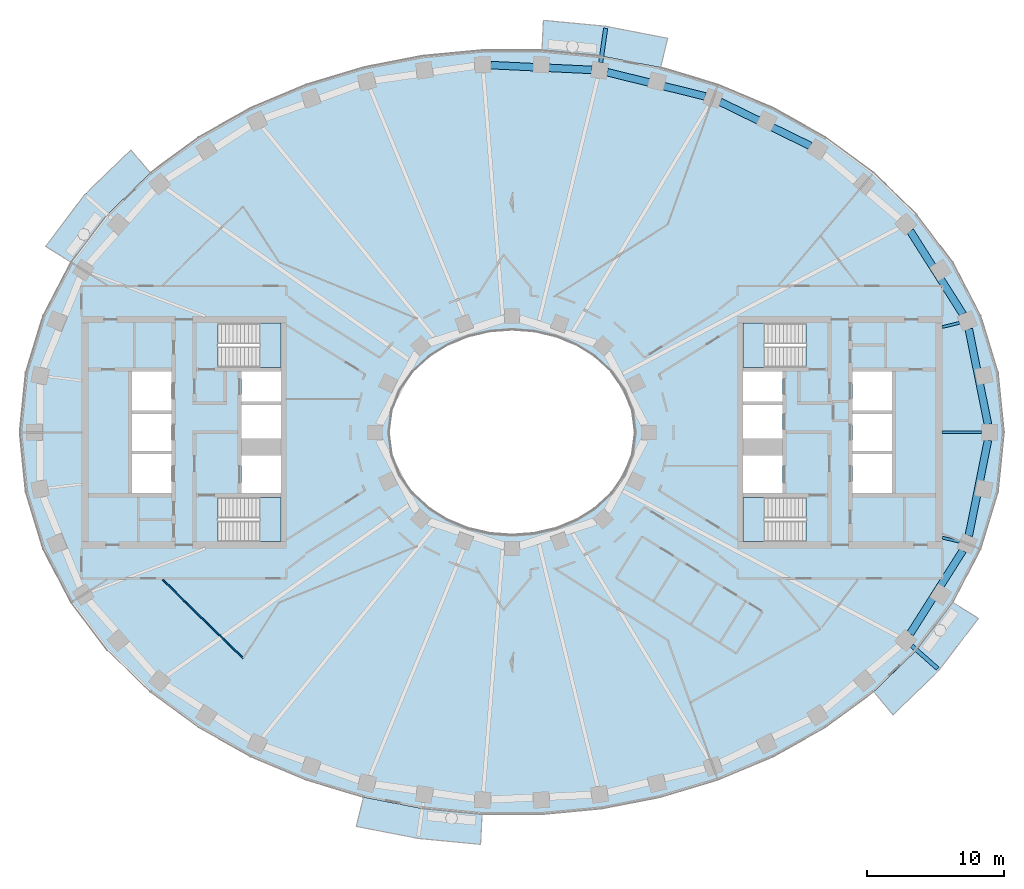
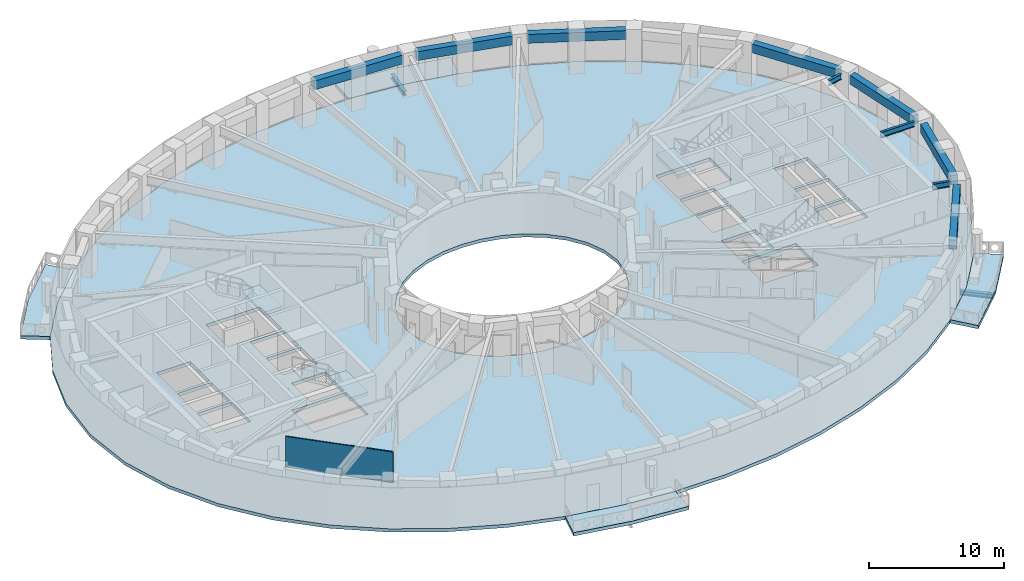
# One storey, part 2 of 16: 12 beams, 9 slabs, 1 wall, 4 elements without a shape of their own.
"""IFC4 building model written with IfcOpenShell, lengths in metres."""

from ifc_helpers import new_model, si_unit, direction, frame, frame_2d, origin, origin_2d, place, context, subcontext, project, spatial, polyline, rectangle, i_section, outline, extrude, material, layer, layer_set, material_profile, profile_set, type_object, element, aggregate, save


model = new_model("IFC4")

# Units and contexts
model_context = context("Model", 3, precision=1e-05, world=origin(), true_north=direction((0.0, 1.0)))
body_context = subcontext(model_context, "Body", "Model", "MODEL_VIEW")
ifc_project = project(units=[si_unit("LENGTHUNIT", "METRE"), si_unit("AREAUNIT", "SQUARE_METRE"), si_unit("VOLUMEUNIT", "CUBIC_METRE"), si_unit("PLANEANGLEUNIT", "RADIAN"), si_unit("MASSUNIT", "GRAM", prefix="KILO")], contexts=[model_context])

# Site, building, storey
site_placement = place(None, origin())
site = spatial("IfcSite", under=ifc_project, at=site_placement, CompositionType="ELEMENT")
building_placement = place(site_placement, origin())
building = spatial("IfcBuilding", under=site, at=building_placement, Name="Noorbagh Ring Tower", CompositionType="ELEMENT")
storey_placement = place(building_placement, frame((0.0, 0.0, 166.0)))
storey = spatial("IfcBuildingStorey", under=building, at=storey_placement, Name="L38", CompositionType="ELEMENT", Elevation=166.0)

# Beams
ifc_material_1 = material(Name="Steel S355", Category="steel")
ifc_material_profile_1 = material_profile(ifc_material_1, i_section(OverallWidth=0.300048828125, OverallDepth=0.39990234375, WebThickness=0.013427734375, FlangeThickness=0.02392578125, FilletRadius=0.027099609375, at=origin_2d()), Name="HEB400")
ifc_profile_set_1 = profile_set([ifc_material_profile_1], Name="Steel S355")
beam_type_1 = type_object("IfcBeamType", Name="STR-BALCONY-BRACKET-HEB400", PredefinedType="BEAM", material=ifc_profile_set_1)
beam_1_placement = place(storey_placement, frame((6.4921875, 27.06494140625, -0.5), z_axis=(0.143073420259, 0.989712077533, 0.0), x_axis=(-0.989712077533, 0.143073420259, 0.0)))
element("IfcBeam", 1, at=beam_1_placement, inside=storey, type_object=beam_type_1, Name="Balcony bracket beam BN03", PredefinedType="BEAM", context=body_context, shape_type="SweptSolid", body=[
    extrude(i_section(OverallWidth=0.300048828125, OverallDepth=0.39990234375, WebThickness=0.013427734375, FlangeThickness=0.02392578125, FilletRadius=0.027099609375, at=origin_2d()), origin(), (0.0, 0.0, 1.0), 2.523681640625),
])
beam_2_placement = place(storey_placement, frame((29.253173828125, -15.61474609375, -0.5), z_axis=(0.749068405178, -0.662492659856, 0.0), x_axis=(0.662492659856, 0.749068405178, 0.0)))
element("IfcBeam", 2, at=beam_2_placement, inside=storey, type_object=beam_type_1, Name="Balcony bracket beam BS06", PredefinedType="BEAM", context=body_context, shape_type="SweptSolid", body=[
    extrude(i_section(OverallWidth=0.300048828125, OverallDepth=0.39990234375, WebThickness=0.013427734375, FlangeThickness=0.02392578125, FilletRadius=0.027099609375, at=origin_2d()), origin(), (0.0, 0.0, 1.0), 2.529541015625),
])
ifc_material_2 = material(Name="Steel S355", Category="steel")
ifc_material_profile_2 = material_profile(ifc_material_2, i_section(OverallWidth=0.199951171875, OverallDepth=0.5, WebThickness=0.01025390625, FlangeThickness=0.01611328125, FilletRadius=0.02099609375, at=origin_2d()), Name="IPE500")
ifc_profile_set_2 = profile_set([ifc_material_profile_2], Name="Steel S355")
beam_type_2 = type_object("IfcBeamType", Name="STR-RAD-IPE500", PredefinedType="BEAM", material=ifc_profile_set_2)
beam_3_placement = place(storey_placement, frame((34.36474609375, 0.0, 3.449951171875), z_axis=(-1.0, 0.0, 0.0), x_axis=(0.0, -1.0, 0.0)))
element("IfcBeam", 3, at=beam_3_placement, inside=storey, type_object=beam_type_2, Name="L38/bm/RD01", PredefinedType="BEAM", context=body_context, shape_type="SweptSolid", body=[
    extrude(i_section(OverallWidth=0.199951171875, OverallDepth=0.5, WebThickness=0.01025390625, FlangeThickness=0.01611328125, FilletRadius=0.02099609375, at=origin_2d()), origin(), (0.0, 0.0, 1.0), 2.884765625),
])
for number, where, z_axis, x_axis, name in (
    (4, (32.7353515625, 8.010009765625, 3.449951171875), (-0.971331161348, -0.237730467116, 0.0), (0.237730467116, -0.971331161348, 0.0), "L38/bm/RD03"),
    (5, (32.7353515625, -8.010009765625, 3.449951171875), (-0.971331161348, 0.237730467116, 0.0), (-0.237730467116, -0.971331161348, 0.0), "L38/bm/RD45"),
):
    element("IfcBeam", number, at=place(storey_placement, frame(where, z_axis=z_axis, x_axis=x_axis)), inside=storey, type_object=beam_type_2, Name=name, PredefinedType="BEAM", context=body_context, shape_type="SweptSolid", body=[
        extrude(i_section(OverallWidth=0.199951171875, OverallDepth=0.5, WebThickness=0.01025390625, FlangeThickness=0.01611328125, FilletRadius=0.02099609375, at=origin_2d()), origin(), (0.0, 0.0, 1.0), 1.2919921875),
    ])
ifc_material_3 = material(Name="Concrete C40/50", Category="concrete")
ifc_material_profile_3 = material_profile(ifc_material_3, rectangle(XDim=0.550048828125, YDim=0.800048828125, at=origin_2d()), Name="RC550x800")
ifc_profile_set_3 = profile_set([ifc_material_profile_3], Name="Concrete C40/50")
beam_type_3 = type_object("IfcBeamType", Name="STR-SB-RC550x800-C40-50", PredefinedType="BEAM", material=ifc_profile_set_3)
beam_4_placement = place(storey_placement, frame((34.827880859375, 0.580322265625, 3.300048828125), z_axis=(-0.19720917592, 0.980361433826, 0.0), x_axis=(-0.980361433826, -0.19720917592, 0.0)))
element("IfcBeam", 6, at=beam_4_placement, inside=storey, type_object=beam_type_3, Name="L38/bm/SP01", PredefinedType="BEAM", context=body_context, shape_type="SweptSolid", body=[
    extrude(rectangle(XDim=0.550048828125, YDim=0.800048828125, at=origin_2d()), origin(), (0.0, 0.0, 1.0), 7.12939453125),
])
beam_5_placement = place(storey_placement, frame((32.98974609375, 8.647216796875, 3.300048828125), z_axis=(-0.535190716377, 0.844731257326, 0.0), x_axis=(-0.844731257326, -0.535190716377, 0.0)))
element("IfcBeam", 7, at=beam_5_placement, inside=storey, type_object=beam_type_3, Name="L38/bm/SP03", PredefinedType="BEAM", context=body_context, shape_type="SweptSolid", body=[
    extrude(rectangle(XDim=0.550048828125, YDim=0.800048828125, at=origin_2d()), origin(), (0.0, 0.0, 1.0), 7.205810546875),
])
beam_6_placement = place(storey_placement, frame((21.837158203125, 20.95654296875, 3.300048828125), z_axis=(-0.898397175695, 0.439183918994, 0.0), x_axis=(-0.439183918994, -0.898397175695, 0.0)))
element("IfcBeam", 8, at=beam_6_placement, inside=storey, type_object=beam_type_3, Name="L38/bm/SP07", PredefinedType="BEAM", context=body_context, shape_type="SweptSolid", body=[
    extrude(rectangle(XDim=0.550048828125, YDim=0.800048828125, at=origin_2d()), origin(), (0.0, 0.0, 1.0), 7.35009765625),
])
beam_7_placement = place(storey_placement, frame((14.143310546875, 24.580810546875, 3.300048828125), z_axis=(-0.970832897369, 0.239757138341, 0.0), x_axis=(-0.239757138341, -0.970832897369, 0.0)))
element("IfcBeam", 9, at=beam_7_placement, inside=storey, type_object=beam_type_3, Name="L38/bm/SP09", PredefinedType="BEAM", context=body_context, shape_type="SweptSolid", body=[
    extrude(rectangle(XDim=0.550048828125, YDim=0.800048828125, at=origin_2d()), origin(), (0.0, 0.0, 1.0), 7.383544921875),
])
beam_8_placement = place(storey_placement, frame((5.8271484375, 26.5185546875, 3.300048828125), z_axis=(-0.9988682124, 0.047563581193, 0.0), x_axis=(-0.047563581193, -0.9988682124, 0.0)))
element("IfcBeam", 10, at=beam_8_placement, inside=storey, type_object=beam_type_3, Name="L38/bm/SP11", PredefinedType="BEAM", context=body_context, shape_type="SweptSolid", body=[
    extrude(rectangle(XDim=0.550048828125, YDim=0.800048828125, at=origin_2d()), origin(), (0.0, 0.0, 1.0), 7.396484375),
])
beam_9_placement = place(storey_placement, frame((29.13330078125, -14.734130859375, 3.300048828125), z_axis=(0.535190716377, 0.844731257326, 0.0), x_axis=(-0.844731257326, 0.535190716377, 0.0)))
element("IfcBeam", 11, at=beam_9_placement, inside=storey, type_object=beam_type_3, Name="L38/bm/SP43", PredefinedType="BEAM", context=body_context, shape_type="SweptSolid", body=[
    extrude(rectangle(XDim=0.550048828125, YDim=0.800048828125, at=origin_2d()), origin(), (0.0, 0.0, 1.0), 7.205810546875),
])
beam_10_placement = place(storey_placement, frame((33.421875, -7.56982421875, 3.300048828125), z_axis=(0.19720917592, 0.980361433826, 0.0), x_axis=(-0.980361433826, 0.19720917592, 0.0)))
element("IfcBeam", 12, at=beam_10_placement, inside=storey, type_object=beam_type_3, Name="L38/bm/SP45", PredefinedType="BEAM", context=body_context, shape_type="SweptSolid", body=[
    extrude(rectangle(XDim=0.550048828125, YDim=0.800048828125, at=origin_2d()), origin(), (0.0, 0.0, 1.0), 7.12939453125),
])

# Stair, slab
ifc_material_4 = material(Name="Concrete C40/50", Category="concrete")
stair_type = type_object("IfcStairType", Name="CORE-STAIR", PredefinedType="HALF_TURN_STAIR", material=ifc_material_4)
stair_1_placement = place(storey_placement, origin())
stair_1 = element("IfcStair", 13, at=stair_1_placement, inside=storey, type_object=stair_type, Name="L38 Exit stair ST1", PredefinedType="HALF_TURN_STAIR")
ifc_material_5 = material(Name="Concrete C40/50", Category="concrete")
ifc_layer_1 = layer(ifc_material_5, 0.300048828125)
ifc_layer_set_1 = layer_set([ifc_layer_1], Name="Concrete C40/50")
slab_type_1 = type_object("IfcSlabType", Name="CORE-STAIR-LANDING", PredefinedType="LANDING", material=ifc_layer_set_1)
slab_1_placement = place(storey_placement, frame((0.0, 0.0, 1.699951171875)))
slab_1 = element("IfcSlab", 14, at=slab_1_placement, type_object=slab_type_1, Name="ST1 landing 1", PredefinedType="LANDING", context=body_context, shape_type="SweptSolid", body=[
    extrude(outline(polyline([(-18.449951171875, 4.75), (-16.89990234375, 4.75), (-16.89990234375, 8.0), (-18.449951171875, 8.0), (-18.449951171875, 4.75)])), origin(), (0.0, 0.0, 1.0), 0.300048828125),
])
aggregate(stair_1, [slab_1])

stair_2_placement = place(storey_placement, origin())
stair_2 = element("IfcStair", 15, at=stair_2_placement, inside=storey, type_object=stair_type, Name="L38 Exit stair ST2", PredefinedType="HALF_TURN_STAIR")
slab_2_placement = place(storey_placement, frame((0.0, 0.0, 1.699951171875)))
slab_2 = element("IfcSlab", 16, at=slab_2_placement, type_object=slab_type_1, Name="ST2 landing 1", PredefinedType="LANDING", context=body_context, shape_type="SweptSolid", body=[
    extrude(outline(polyline([(-18.449951171875, -8.0), (-16.89990234375, -8.0), (-16.89990234375, -4.75), (-18.449951171875, -4.75), (-18.449951171875, -8.0)])), origin(), (0.0, 0.0, 1.0), 0.300048828125),
])
aggregate(stair_2, [slab_2])

stair_3_placement = place(storey_placement, origin())
stair_3 = element("IfcStair", 17, at=stair_3_placement, inside=storey, type_object=stair_type, Name="L38 Exit stair ST3", PredefinedType="HALF_TURN_STAIR")
slab_3_placement = place(storey_placement, frame((0.0, 0.0, 1.699951171875)))
slab_3 = element("IfcSlab", 18, at=slab_3_placement, type_object=slab_type_1, Name="ST3 landing 1", PredefinedType="LANDING", context=body_context, shape_type="SweptSolid", body=[
    extrude(outline(polyline([(18.449951171875, 8.0), (16.89990234375, 8.0), (16.89990234375, 4.75), (18.449951171875, 4.75), (18.449951171875, 8.0)])), origin(), (0.0, 0.0, 1.0), 0.300048828125),
])
aggregate(stair_3, [slab_3])

stair_4_placement = place(storey_placement, origin())
stair_4 = element("IfcStair", 19, at=stair_4_placement, inside=storey, type_object=stair_type, Name="L38 Exit stair ST4", PredefinedType="HALF_TURN_STAIR")
slab_4_placement = place(storey_placement, frame((0.0, 0.0, 1.699951171875)))
slab_4 = element("IfcSlab", 20, at=slab_4_placement, type_object=slab_type_1, Name="ST4 landing 1", PredefinedType="LANDING", context=body_context, shape_type="SweptSolid", body=[
    extrude(outline(polyline([(18.449951171875, -4.75), (16.89990234375, -4.75), (16.89990234375, -8.0), (18.449951171875, -8.0), (18.449951171875, -4.75)])), origin(), (0.0, 0.0, 1.0), 0.300048828125),
])
aggregate(stair_4, [slab_4])

# Slabs
ifc_material_6 = material(Name="Concrete C40/50", Category="concrete")
ifc_layer_2 = layer(ifc_material_6, 0.300048828125)
ifc_layer_set_2 = layer_set([ifc_layer_2], Name="Concrete C40/50")
slab_type_2 = type_object("IfcSlabType", Name="ENV-BALCONY DECK 300", PredefinedType="FLOOR", material=ifc_layer_set_2)
slab_5_placement = place(storey_placement, frame((0.0, 0.0, -0.300048828125)))
element("IfcSlab", 21, at=slab_5_placement, inside=storey, type_object=slab_type_2, Name="Tree balcony deck BN03", PredefinedType="FLOOR", context=body_context, shape_type="SweptSolid", body=[
    extrude(outline(polyline([(11.3935546875, 28.832763671875), (6.874755859375, 29.711181640625), (2.2978515625, 30.14794921875), (2.193115234375, 27.947998046875), (6.5595703125, 27.53125), (10.865234375, 26.6943359375), (11.3935546875, 28.832763671875)])), origin(), (0.0, 0.0, 1.0), 0.300048828125),
])
slab_6_placement = place(storey_placement, frame((0.0, 0.0, -0.300048828125)))
element("IfcSlab", 22, at=slab_6_placement, inside=storey, type_object=slab_type_2, Name="Tree balcony deck BN06", PredefinedType="FLOOR", context=body_context, shape_type="SweptSolid", body=[
    extrude(outline(polyline([(-27.888671875, 20.665771484375), (-31.26025390625, 17.389892578125), (-34.120361328125, 13.615966796875), (-32.255126953125, 12.434814453125), (-29.607666015625, 15.92822265625), (-26.463134765625, 18.983154296875), (-27.888671875, 20.665771484375)])), origin(), (0.0, 0.0, 1.0), 0.300048828125),
])
slab_7_placement = place(storey_placement, frame((0.0, 0.0, -0.300048828125)))
element("IfcSlab", 23, at=slab_7_placement, inside=storey, type_object=slab_type_2, Name="Tree balcony deck BS03", PredefinedType="FLOOR", context=body_context, shape_type="SweptSolid", body=[
    extrude(outline(polyline([(-11.3935546875, -28.832763671875), (-6.874755859375, -29.711181640625), (-2.2978515625, -30.14794921875), (-2.193115234375, -27.947998046875), (-6.5595703125, -27.53125), (-10.865234375, -26.6943359375), (-11.3935546875, -28.832763671875)])), origin(), (0.0, 0.0, 1.0), 0.300048828125),
])
slab_8_placement = place(storey_placement, frame((0.0, 0.0, -0.300048828125)))
element("IfcSlab", 24, at=slab_8_placement, inside=storey, type_object=slab_type_2, Name="Tree balcony deck BS06", PredefinedType="FLOOR", context=body_context, shape_type="SweptSolid", body=[
    extrude(outline(polyline([(27.888671875, -20.665771484375), (31.26025390625, -17.389892578125), (34.120361328125, -13.615966796875), (32.255126953125, -12.434814453125), (29.607666015625, -15.92822265625), (26.463134765625, -18.983154296875), (27.888671875, -20.665771484375)])), origin(), (0.0, 0.0, 1.0), 0.300048828125),
])
ifc_material_7 = material(Name="Concrete C40/50", Category="concrete")
ifc_layer_3 = layer(ifc_material_7, 0.300048828125)
ifc_layer_set_3 = layer_set([ifc_layer_3], Name="Concrete C40/50")
slab_type_3 = type_object("IfcSlabType", Name="STR-FLOOR-DECK-300", PredefinedType="FLOOR", material=ifc_layer_set_3)
slab_9_placement = place(storey_placement, frame((0.0, 0.0, -0.300048828125)))
element("IfcSlab", 25, at=slab_9_placement, inside=storey, type_object=slab_type_3, Name="L38/slab/1", PredefinedType="FLOOR", context=body_context, shape_type="SweptSolid", body=[
    extrude(outline(polyline([(36.0, 0.0), (35.56103515625, 4.358642578125), (34.281005859375, 8.548828125), (32.255126953125, 12.434814453125), (29.607666015625, 15.92822265625), (26.463134765625, 18.983154296875), (22.9326171875, 21.583740234375), (19.108154296875, 23.730224609375), (15.0654296875, 25.430419921875), (10.865234375, 26.6943359375), (6.5595703125, 27.53125), (2.193115234375, 27.947998046875), (-2.193115234375, 27.947998046875), (-6.5595703125, 27.53125), (-10.865234375, 26.6943359375), (-15.0654296875, 25.430419921875), (-19.108154296875, 23.730224609375), (-22.9326171875, 21.583740234375), (-26.463134765625, 18.983154296875), (-29.607666015625, 15.92822265625), (-32.255126953125, 12.434814453125), (-34.281005859375, 8.548828125), (-35.56103515625, 4.358642578125), (-36.0, 0.0), (-35.56103515625, -4.358642578125), (-34.281005859375, -8.548828125), (-32.255126953125, -12.434814453125), (-29.607666015625, -15.92822265625), (-26.463134765625, -18.983154296875), (-22.9326171875, -21.583740234375), (-19.108154296875, -23.730224609375), (-15.0654296875, -25.430419921875), (-10.865234375, -26.6943359375), (-6.5595703125, -27.53125), (-2.193115234375, -27.947998046875), (2.193115234375, -27.947998046875), (6.5595703125, -27.53125), (10.865234375, -26.6943359375), (15.0654296875, -25.430419921875), (19.108154296875, -23.730224609375), (22.9326171875, -21.583740234375), (26.463134765625, -18.983154296875), (29.607666015625, -15.92822265625), (32.255126953125, -12.434814453125), (34.281005859375, -8.548828125), (35.56103515625, -4.358642578125), (36.0, 0.0)]), holes=[polyline([(24.89990234375, 4.449951171875), (27.800048828125, 4.449951171875), (27.800048828125, 1.60009765625), (24.89990234375, 1.60009765625), (24.89990234375, 4.449951171875)]), polyline([(24.89990234375, 1.35009765625), (27.800048828125, 1.35009765625), (27.800048828125, -1.35009765625), (24.89990234375, -1.35009765625), (24.89990234375, 1.35009765625)]), polyline([(24.89990234375, -1.60009765625), (27.800048828125, -1.60009765625), (27.800048828125, -4.449951171875), (24.89990234375, -4.449951171875), (24.89990234375, -1.60009765625)]), polyline([(21.529541015625, -8.0), (16.89990234375, -8.0), (16.89990234375, -4.75), (21.529541015625, -4.75), (21.529541015625, -8.0)]), polyline([(16.89990234375, 4.75), (16.89990234375, 8.0), (21.529541015625, 8.0), (21.529541015625, 4.75), (16.89990234375, 4.75)]), polyline([(19.800048828125, 4.449951171875), (19.800048828125, 2.25), (16.89990234375, 2.25), (16.89990234375, 4.449951171875), (19.800048828125, 4.449951171875)]), polyline([(16.89990234375, 2.0), (19.800048828125, 2.0), (19.800048828125, -0.449951171875), (16.89990234375, -0.449951171875), (16.89990234375, 2.0)]), polyline([(16.89990234375, -1.699951171875), (19.800048828125, -1.699951171875), (19.800048828125, -4.449951171875), (16.89990234375, -4.449951171875), (16.89990234375, -1.699951171875)]), polyline([(4.697509765625, -6.3974609375), (3.196533203125, -7.010986328125), (1.6171875, -7.3779296875), (0.0, -7.5), (-1.6171875, -7.3779296875), (-3.196533203125, -7.010986328125), (-4.697509765625, -6.3974609375), (-6.071044921875, -5.53662109375), (-7.2587890625, -4.43408203125), (-8.1904296875, -3.10888671875), (-8.79150390625, -1.605224609375), (-9.0, 0.0), (-8.79150390625, 1.605224609375), (-8.1904296875, 3.10888671875), (-7.2587890625, 4.43408203125), (-6.071044921875, 5.53662109375), (-4.697509765625, 6.3974609375), (-3.196533203125, 7.010986328125), (-1.6171875, 7.3779296875), (0.0, 7.5), (1.6171875, 7.3779296875), (3.196533203125, 7.010986328125), (4.697509765625, 6.3974609375), (6.071044921875, 5.53662109375), (7.2587890625, 4.43408203125), (8.1904296875, 3.10888671875), (8.79150390625, 1.605224609375), (9.0, 0.0), (8.79150390625, -1.605224609375), (8.1904296875, -3.10888671875), (7.2587890625, -4.43408203125), (6.071044921875, -5.53662109375), (4.697509765625, -6.3974609375)]), polyline([(-16.89990234375, 2.25), (-19.800048828125, 2.25), (-19.800048828125, 4.449951171875), (-16.89990234375, 4.449951171875), (-16.89990234375, 2.25)]), polyline([(-16.89990234375, -0.449951171875), (-19.800048828125, -0.449951171875), (-19.800048828125, 2.0), (-16.89990234375, 2.0), (-16.89990234375, -0.449951171875)]), polyline([(-16.89990234375, -4.449951171875), (-19.800048828125, -4.449951171875), (-19.800048828125, -1.699951171875), (-16.89990234375, -1.699951171875), (-16.89990234375, -4.449951171875)]), polyline([(-21.529541015625, 8.0), (-16.89990234375, 8.0), (-16.89990234375, 4.75), (-21.529541015625, 4.75), (-21.529541015625, 8.0)]), polyline([(-21.529541015625, -4.75), (-16.89990234375, -4.75), (-16.89990234375, -8.0), (-21.529541015625, -8.0), (-21.529541015625, -4.75)]), polyline([(-24.89990234375, -4.449951171875), (-27.800048828125, -4.449951171875), (-27.800048828125, -1.60009765625), (-24.89990234375, -1.60009765625), (-24.89990234375, -4.449951171875)]), polyline([(-24.89990234375, 1.60009765625), (-27.800048828125, 1.60009765625), (-27.800048828125, 4.449951171875), (-24.89990234375, 4.449951171875), (-24.89990234375, 1.60009765625)]), polyline([(-24.89990234375, -1.35009765625), (-27.800048828125, -1.35009765625), (-27.800048828125, 1.35009765625), (-24.89990234375, 1.35009765625), (-24.89990234375, -1.35009765625)])]), origin(), (0.0, 0.0, 1.0), 0.300048828125),
])

# Wall
ifc_material_8 = material(Name="Gypsum board on steel studs", Category="steel")
ifc_layer_4 = layer(ifc_material_8, 0.10009765625)
ifc_layer_set_4 = layer_set([ifc_layer_4], Name="Gypsum board on steel studs")
wall_type = type_object("IfcWallType", Name="PARTITION 100 GYPSUM", PredefinedType="PARTITIONING", material=ifc_layer_set_4)
wall_placement = place(storey_placement, frame((-25.56591796875, -10.778076171875, 0.0), z_axis=(0.0, 0.0, 1.0), x_axis=(0.715430617602, -0.698683784982, 0.0)))
element("IfcWall", 26, at=wall_placement, inside=storey, type_object=wall_type, Name="L38/wall/P08", PredefinedType="PARTITIONING", context=body_context, shape_type="SweptSolid", body=[
    extrude(rectangle(XDim=8.23681640625, YDim=0.10009765625, at=frame_2d((4.118408203125, 0.0))), origin(), (0.0, 0.0, 1.0), 2.75),
])

save(model, "model.ifc")
